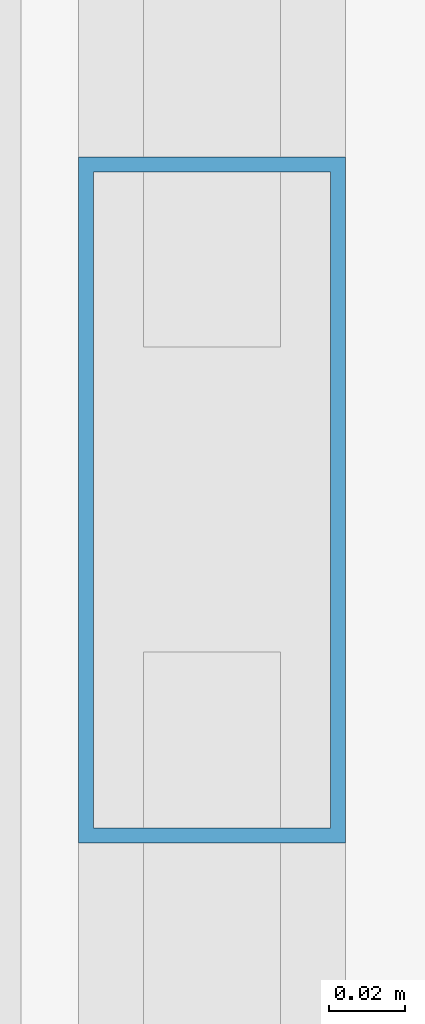
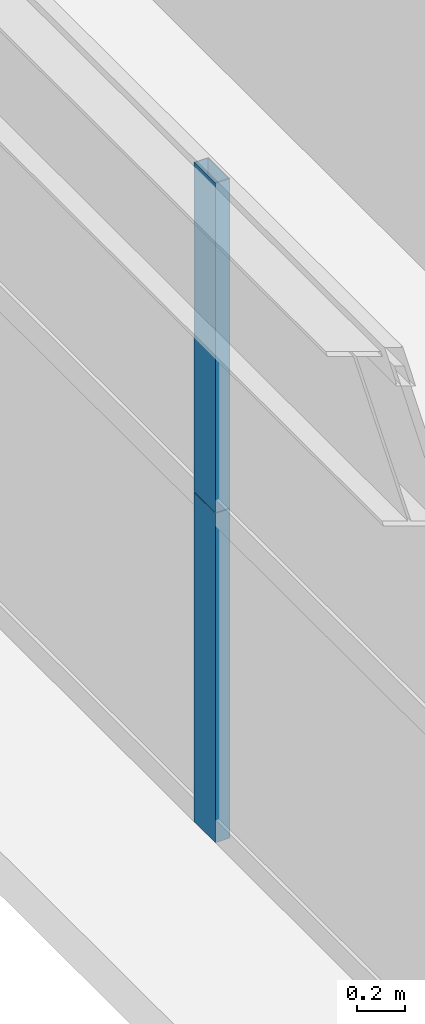
# One storey, part 22 of 43: 2 members, 1 element without a shape of its own.
"""IFC4 building model written with IfcOpenShell, lengths in metres."""

from ifc_helpers import new_model, si_unit, direction, frame, origin, origin_2d, place, context, subcontext, project, spatial, hollow_rectangle, extrude, source, transform, mapped, material, layer, layer_set, material_profile, profile_set, type_object, element, aggregate, save


model = new_model("IFC4")

# Units and contexts
model_context = context("Model", 3, precision=1e-05, world=origin(), true_north=direction((0.0, 1.0)))
body_context = subcontext(model_context, "Body", "Model", "MODEL_VIEW")
ifc_project = project(units=[si_unit("LENGTHUNIT", "METRE"), si_unit("AREAUNIT", "SQUARE_METRE"), si_unit("VOLUMEUNIT", "CUBIC_METRE"), si_unit("PLANEANGLEUNIT", "RADIAN"), si_unit("MASSUNIT", "GRAM", prefix="KILO"), si_unit("THERMODYNAMICTEMPERATUREUNIT", "KELVIN"), si_unit("POWERUNIT", "WATT")], contexts=[model_context])

# Site, building, storey
site_placement = place(None, origin())
site = spatial("IfcSite", under=ifc_project, at=site_placement, CompositionType="ELEMENT")
building_placement = place(site_placement, origin())
building = spatial("IfcBuilding", under=site, at=building_placement, Name="Yuzanri Waterfront Tower", CompositionType="ELEMENT")
storey_placement = place(building_placement, frame((0.0, 0.0, 67.60009765625)))
storey = spatial("IfcBuildingStorey", under=building, at=storey_placement, Name="L17", CompositionType="ELEMENT", Elevation=67.60009765625)

# Curtain wall, members
ifc_material_1 = material(Name="Anodized Architectural Bronze", Category="metal")
ifc_layer = layer(ifc_material_1, 0.159912109375)
ifc_layer_set = layer_set([ifc_layer], Name="Anodized Architectural Bronze")
curtain_wall_type = type_object("IfcCurtainWallType", Name="Anodized Bronze Hotel Lower-Tier Recessed Unitized Curtain Wall 8100", PredefinedType="NOTDEFINED", material=ifc_layer_set)
curtain_wall_placement = place(storey_placement, origin())
curtain_wall = element("IfcCurtainWall", 1, at=curtain_wall_placement, inside=storey, type_object=curtain_wall_type, Name="L17 Curtain Wall CW-L17-WR", PredefinedType="NOTDEFINED")
ifc_material_2 = material(Name="Anodized Architectural Bronze", Category="metal")
ifc_material_profile = material_profile(ifc_material_2, hollow_rectangle(XDim=0.070068359375, YDim=0.179931640625, WallThickness=0.00390625, at=origin_2d()), Name="CWM 70x180")
ifc_profile_set = profile_set([ifc_material_profile], Name="Anodized Architectural Bronze")
member_type = type_object("IfcMemberType", Name="Anodized Bronze Standard Curtain-Wall Mullion 70x180", PredefinedType="MULLION", material=ifc_profile_set)
shared_shape = source(origin(), body_context, "Body", "SweptSolid", [
    extrude(hollow_rectangle(XDim=0.070068359375, YDim=0.179931640625, WallThickness=0.00390625, at=origin_2d()), origin(), (0.0, 0.0, 1.0), 1.68798828125),
])
member_1_placement = place(storey_placement, frame((12.050048828125, 34.89990234375, 0.0), z_axis=(0.0, 0.0, 1.0), x_axis=(1.0, 0.0, 0.0)))
member_1 = element("IfcMember", 2, at=member_1_placement, type_object=member_type, Name="CW-L17-WR Lower Mullion 01", PredefinedType="MULLION", context=body_context, shape_type="MappedRepresentation", body=[
    mapped(shared_shape, transform((0.0, 0.0, 0.0), scale=1.0)),
])
member_2_placement = place(storey_placement, frame((12.050048828125, 34.89990234375, 1.69189453125), z_axis=(0.0, 0.0, 1.0), x_axis=(1.0, 0.0, 0.0)))
member_2 = element("IfcMember", 3, at=member_2_placement, type_object=member_type, Name="CW-L17-WR Upper Mullion 01", PredefinedType="MULLION", context=body_context, shape_type="MappedRepresentation", body=[
    mapped(shared_shape, transform((0.0, 0.0, 0.0), scale=1.0)),
])
aggregate(curtain_wall, [member_1, member_2])

save(model, "model.ifc")
